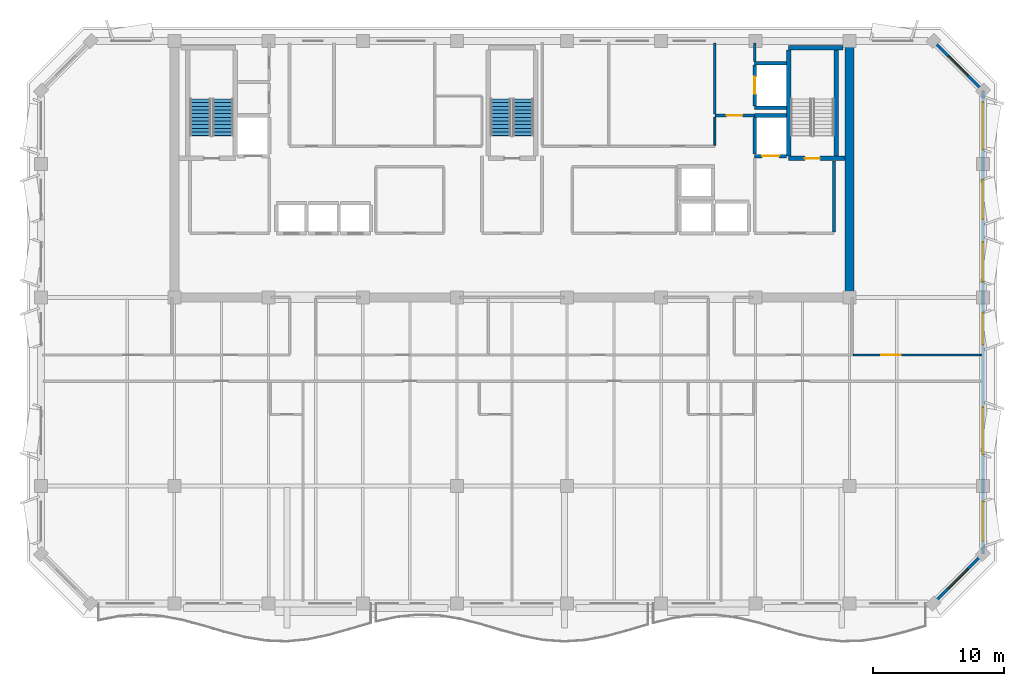
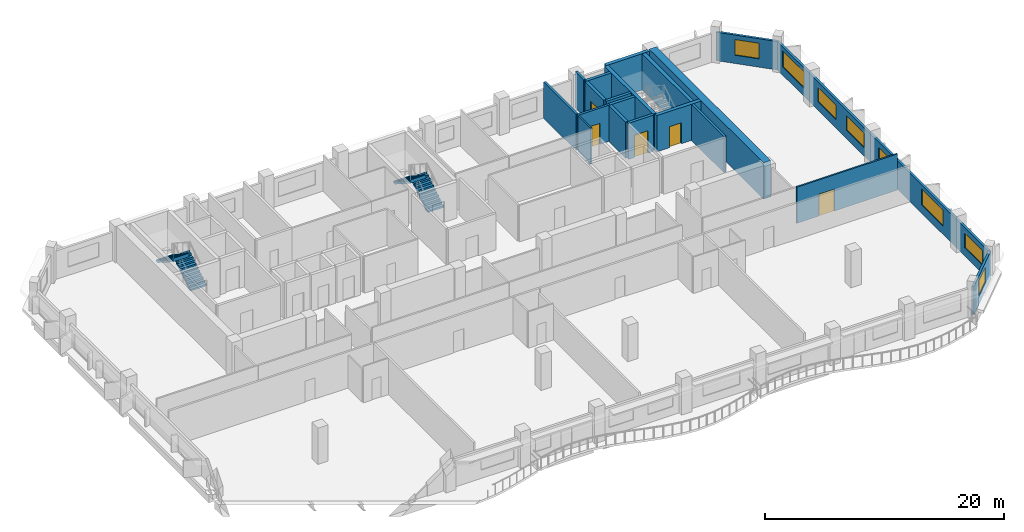
# One storey, part 7 of 11: 20 walls, 8 windows, 5 doors, 4 stair flights, 13 openings, 2 elements without a shape of their own.
"""IFC4 building model written with IfcOpenShell, lengths in metres."""

from ifc_helpers import new_model, si_unit, direction, frame, frame_2d, origin, place, context, subcontext, project, spatial, polyline, rectangle, outline, extrude, material, layer, layer_set, type_object, element, fill, aggregate, save


model = new_model("IFC4")

# Units and contexts
model_context = context("Model", 3, precision=1e-05, world=origin(), true_north=direction((0.0, 1.0)))
body_context = subcontext(model_context, "Body", "Model", "MODEL_VIEW")
ifc_project = project(units=[si_unit("LENGTHUNIT", "METRE"), si_unit("AREAUNIT", "SQUARE_METRE"), si_unit("VOLUMEUNIT", "CUBIC_METRE"), si_unit("PLANEANGLEUNIT", "RADIAN"), si_unit("MASSUNIT", "GRAM", prefix="KILO")], contexts=[model_context])

# Site, building, storey
site_placement = place(None, origin())
site = spatial("IfcSite", under=ifc_project, at=site_placement, CompositionType="ELEMENT")
building_placement = place(site_placement, origin())
building = spatial("IfcBuilding", under=site, at=building_placement, Name="Kaelvorn Grand Hotel", CompositionType="ELEMENT")
storey_placement = place(building_placement, frame((0.0, 0.0, 272.60009765625)))
storey = spatial("IfcBuildingStorey", under=building, at=storey_placement, Name="L67", CompositionType="ELEMENT", Elevation=272.60009765625)

# Wall
ifc_material_1 = material(Name="Concrete C50/60", Category="concrete")
ifc_layer_1 = layer(ifc_material_1, 0.699951171875)
ifc_layer_set_1 = layer_set([ifc_layer_1], Name="Concrete C50/60")
wall_type_1 = type_object("IfcWallType", Name="WL-CORE-700-C50", PredefinedType="SHEAR", material=ifc_layer_set_1)
wall_1_placement = place(storey_placement, frame((67.800048828125, 29.39990234375, 0.0), z_axis=(0.0, 0.0, 1.0), x_axis=(0.0, 1.0, 0.0)))
element("IfcWall", 1, at=wall_1_placement, inside=storey, type_object=wall_type_1, Name="L67 Rear-Core East Shear Wall", PredefinedType="SHEAR", context=body_context, shape_type="SweptSolid", body=[
    extrude(rectangle(XDim=19.2001953125, YDim=0.699951171875, at=frame_2d((9.60009765625, 0.0))), origin(), (0.0, 0.0, 1.0), 3.7099609375),
])

# Wall, opening, window
ifc_material_2 = material(Name="Concrete C40/50", Category="concrete")
ifc_layer_2 = layer(ifc_material_2, 0.219970703125)
ifc_layer_set_2 = layer_set([ifc_layer_2], Name="Concrete C40/50")
wall_type_2 = type_object("IfcWallType", Name="WL-EXT-220-C40", PredefinedType="SOLIDWALL", material=ifc_layer_set_2)
wall_2_placement = place(storey_placement, frame((74.199951171875, 6.0, 0.0), z_axis=(0.0, 0.0, 1.0), x_axis=(0.707106781187, 0.707106781187, 0.0)))
wall_2 = element("IfcWall", 2, at=wall_2_placement, inside=storey, type_object=wall_type_2, Name="L67 Exterior Architectural Concrete Wall 02", PredefinedType="SOLIDWALL", context=body_context, shape_type="SweptSolid", body=[
    extrude(rectangle(XDim=5.3740234375, YDim=0.219970703125, at=frame_2d((2.68701171875, 0.0))), origin(), (0.0, 0.0, 1.0), 2.909912109375),
])
opening_1_placement = place(wall_2_placement, frame((1.636962890625, 0.0, 0.85009765625)))
opening_1 = element("IfcOpeningElement", 3, at=opening_1_placement, cuts=wall_2, Name="Opening W7", PredefinedType="OPENING", context=body_context, shape_type="SweptSolid", body=[
    extrude(rectangle(XDim=2.10009765625, YDim=1.60009765625, at=frame_2d((1.050048828125, 0.800048828125))), frame((0.0, 0.1201171875, 0.0), z_axis=(0.0, -1.0, 0.0), x_axis=(1.0, 0.0, 0.0)), (0.0, 0.0, 1.0), 0.239990234375),
])
ifc_material_3 = material(Name="Laminated Low-E Glass", Category="glass")
window_type_1 = type_object("IfcWindowType", Name="WIN-CHM-2100x1600", PartitioningType="SINGLE_PANEL", PredefinedType="WINDOW", material=ifc_material_3)
window_1_placement = place(opening_1_placement, origin())
window_1 = element("IfcWindow", 4, at=window_1_placement, inside=storey, type_object=window_type_1, Name="L67 Chamfered 45-Degree Corner Window SE", OverallHeight=1.60009765625, OverallWidth=2.10009765625, PartitioningType="SINGLE_PANEL", PredefinedType="WINDOW", context=body_context, shape_type="SweptSolid", body=[
    extrude(rectangle(XDim=2.10009765625, YDim=1.60009765625, at=frame_2d((1.050048828125, 0.800048828125))), frame((0.0, 0.030029296875, 0.0), z_axis=(0.0, -1.0, 0.0), x_axis=(1.0, 0.0, 0.0)), (0.0, 0.0, 1.0), 0.06005859375),
])
fill(opening_1, window_1)

# Wall, openings, windows
wall_3_placement = place(storey_placement, frame((78.0, 9.800048828125, 0.0), z_axis=(0.0, 0.0, 1.0), x_axis=(0.0, 1.0, 0.0)))
wall_3 = element("IfcWall", 5, at=wall_3_placement, inside=storey, type_object=wall_type_2, Name="L67 Exterior Architectural Concrete Wall 03", PredefinedType="SOLIDWALL", context=body_context, shape_type="SweptSolid", body=[
    extrude(rectangle(XDim=35.39990234375, YDim=0.219970703125, at=frame_2d((17.699951171875, 0.0))), origin(), (0.0, 0.0, 1.0), 2.909912109375),
])
opening_2_placement = place(wall_3_placement, frame((0.985107421875, 0.0, 0.85009765625)))
opening_2 = element("IfcOpeningElement", 6, at=opening_2_placement, cuts=wall_3, Name="Opening W5", PredefinedType="OPENING", context=body_context, shape_type="SweptSolid", body=[
    extrude(rectangle(XDim=3.0, YDim=1.5, at=frame_2d((1.5, 0.75))), frame((0.0, 0.1201171875, 0.0), z_axis=(0.0, -1.0, 0.0), x_axis=(1.0, 0.0, 0.0)), (0.0, 0.0, 1.0), 0.239990234375),
])
opening_3_placement = place(wall_3_placement, frame((7.60009765625, 0.0, 0.85009765625)))
opening_3 = element("IfcOpeningElement", 7, at=opening_3_placement, cuts=wall_3, Name="Opening W3", PredefinedType="OPENING", context=body_context, shape_type="SweptSolid", body=[
    extrude(rectangle(XDim=3.60009765625, YDim=1.64990234375, at=frame_2d((1.800048828125, 0.824951171875))), frame((0.0, 0.1201171875, 0.0), z_axis=(0.0, -1.0, 0.0), x_axis=(1.0, 0.0, 0.0)), (0.0, 0.0, 1.0), 0.239990234375),
])
opening_4_placement = place(wall_3_placement, frame((16.0, 0.0, 0.85009765625)))
opening_4 = element("IfcOpeningElement", 8, at=opening_4_placement, cuts=wall_3, Name="Opening W6", PredefinedType="OPENING", context=body_context, shape_type="SweptSolid", body=[
    extrude(rectangle(XDim=2.39990234375, YDim=1.5, at=frame_2d((1.199951171875, 0.75))), frame((0.0, 0.1201171875, 0.0), z_axis=(0.0, -1.0, 0.0), x_axis=(1.0, 0.0, 0.0)), (0.0, 0.0, 1.0), 0.239990234375),
])
opening_5_placement = place(wall_3_placement, frame((20.81494140625, 0.0, 0.85009765625)))
opening_5 = element("IfcOpeningElement", 9, at=opening_5_placement, cuts=wall_3, Name="Opening W5", PredefinedType="OPENING", context=body_context, shape_type="SweptSolid", body=[
    extrude(rectangle(XDim=3.0, YDim=1.5, at=frame_2d((1.5, 0.75))), frame((0.0, 0.1201171875, 0.0), z_axis=(0.0, -1.0, 0.0), x_axis=(1.0, 0.0, 0.0)), (0.0, 0.0, 1.0), 0.239990234375),
])
opening_6_placement = place(wall_3_placement, frame((25.5849609375, 0.0, 0.85009765625)))
opening_6 = element("IfcOpeningElement", 10, at=opening_6_placement, cuts=wall_3, Name="Opening W5", PredefinedType="OPENING", context=body_context, shape_type="SweptSolid", body=[
    extrude(rectangle(XDim=3.0, YDim=1.5, at=frame_2d((1.5, 0.75))), frame((0.0, 0.1201171875, 0.0), z_axis=(0.0, -1.0, 0.0), x_axis=(1.0, 0.0, 0.0)), (0.0, 0.0, 1.0), 0.239990234375),
])
opening_7_placement = place(wall_3_placement, frame((30.9150390625, 0.0, 0.85009765625)))
opening_7 = element("IfcOpeningElement", 11, at=opening_7_placement, cuts=wall_3, Name="Opening W3", PredefinedType="OPENING", context=body_context, shape_type="SweptSolid", body=[
    extrude(rectangle(XDim=3.60009765625, YDim=1.64990234375, at=frame_2d((1.800048828125, 0.824951171875))), frame((0.0, 0.1201171875, 0.0), z_axis=(0.0, -1.0, 0.0), x_axis=(1.0, 0.0, 0.0)), (0.0, 0.0, 1.0), 0.239990234375),
])
window_type_2 = type_object("IfcWindowType", Name="WIN-NTH-2400x1500", PartitioningType="SINGLE_PANEL", PredefinedType="WINDOW", material=ifc_material_3)
window_2_placement = place(opening_4_placement, origin())
window_2 = element("IfcWindow", 12, at=window_2_placement, inside=storey, type_object=window_type_2, Name="L67 E Wing Tilted-Frame Ribbon Window E03", OverallHeight=1.5, OverallWidth=2.39990234375, PartitioningType="SINGLE_PANEL", PredefinedType="WINDOW", context=body_context, shape_type="SweptSolid", body=[
    extrude(rectangle(XDim=2.39990234375, YDim=1.5, at=frame_2d((1.199951171875, 0.75))), frame((0.0, 0.030029296875, 0.0), z_axis=(0.0, -1.0, 0.0), x_axis=(1.0, 0.0, 0.0)), (0.0, 0.0, 1.0), 0.06005859375),
])
fill(opening_4, window_2)
window_type_3 = type_object("IfcWindowType", Name="WIN-NTH-3000x1500", PartitioningType="SINGLE_PANEL", PredefinedType="WINDOW", material=ifc_material_3)
window_3_placement = place(opening_2_placement, origin())
window_3 = element("IfcWindow", 13, at=window_3_placement, inside=storey, type_object=window_type_3, Name="L67 E Wing Tilted-Frame Ribbon Window E01", OverallHeight=1.5, OverallWidth=3.0, PartitioningType="SINGLE_PANEL", PredefinedType="WINDOW", context=body_context, shape_type="SweptSolid", body=[
    extrude(rectangle(XDim=3.0, YDim=1.5, at=frame_2d((1.5, 0.75))), frame((0.0, 0.030029296875, 0.0), z_axis=(0.0, -1.0, 0.0), x_axis=(1.0, 0.0, 0.0)), (0.0, 0.0, 1.0), 0.06005859375),
])
fill(opening_2, window_3)
window_4_placement = place(opening_5_placement, origin())
window_4 = element("IfcWindow", 14, at=window_4_placement, inside=storey, type_object=window_type_3, Name="L67 E Wing Tilted-Frame Ribbon Window E04", OverallHeight=1.5, OverallWidth=3.0, PartitioningType="SINGLE_PANEL", PredefinedType="WINDOW", context=body_context, shape_type="SweptSolid", body=[
    extrude(rectangle(XDim=3.0, YDim=1.5, at=frame_2d((1.5, 0.75))), frame((0.0, 0.030029296875, 0.0), z_axis=(0.0, -1.0, 0.0), x_axis=(1.0, 0.0, 0.0)), (0.0, 0.0, 1.0), 0.06005859375),
])
fill(opening_5, window_4)
window_5_placement = place(opening_6_placement, origin())
window_5 = element("IfcWindow", 15, at=window_5_placement, inside=storey, type_object=window_type_3, Name="L67 E Wing Tilted-Frame Ribbon Window E05", OverallHeight=1.5, OverallWidth=3.0, PartitioningType="SINGLE_PANEL", PredefinedType="WINDOW", context=body_context, shape_type="SweptSolid", body=[
    extrude(rectangle(XDim=3.0, YDim=1.5, at=frame_2d((1.5, 0.75))), frame((0.0, 0.030029296875, 0.0), z_axis=(0.0, -1.0, 0.0), x_axis=(1.0, 0.0, 0.0)), (0.0, 0.0, 1.0), 0.06005859375),
])
fill(opening_6, window_5)
window_type_4 = type_object("IfcWindowType", Name="WIN-RIB-3600x1750", PartitioningType="SINGLE_PANEL", PredefinedType="WINDOW", material=ifc_material_3)
window_6_placement = place(opening_3_placement, origin())
window_6 = element("IfcWindow", 16, at=window_6_placement, inside=storey, type_object=window_type_4, Name="L67 E Wing Tilted-Frame Ribbon Window E02", OverallHeight=1.64990234375, OverallWidth=3.60009765625, PartitioningType="SINGLE_PANEL", PredefinedType="WINDOW", context=body_context, shape_type="SweptSolid", body=[
    extrude(rectangle(XDim=3.60009765625, YDim=1.64990234375, at=frame_2d((1.800048828125, 0.824951171875))), frame((0.0, 0.030029296875, 0.0), z_axis=(0.0, -1.0, 0.0), x_axis=(1.0, 0.0, 0.0)), (0.0, 0.0, 1.0), 0.06005859375),
])
fill(opening_3, window_6)
window_7_placement = place(opening_7_placement, origin())
window_7 = element("IfcWindow", 17, at=window_7_placement, inside=storey, type_object=window_type_4, Name="L67 E Wing Tilted-Frame Ribbon Window E06", OverallHeight=1.64990234375, OverallWidth=3.60009765625, PartitioningType="SINGLE_PANEL", PredefinedType="WINDOW", context=body_context, shape_type="SweptSolid", body=[
    extrude(rectangle(XDim=3.60009765625, YDim=1.64990234375, at=frame_2d((1.800048828125, 0.824951171875))), frame((0.0, 0.030029296875, 0.0), z_axis=(0.0, -1.0, 0.0), x_axis=(1.0, 0.0, 0.0)), (0.0, 0.0, 1.0), 0.06005859375),
])
fill(opening_7, window_7)

# Wall, opening, window
wall_4_placement = place(storey_placement, frame((78.0, 45.199951171875, 0.0), z_axis=(0.0, 0.0, 1.0), x_axis=(-0.707106781187, 0.707106781187, 0.0)))
wall_4 = element("IfcWall", 18, at=wall_4_placement, inside=storey, type_object=wall_type_2, Name="L67 Exterior Architectural Concrete Wall 04", PredefinedType="SOLIDWALL", context=body_context, shape_type="SweptSolid", body=[
    extrude(rectangle(XDim=5.3740234375, YDim=0.219970703125, at=frame_2d((2.68701171875, 0.0))), origin(), (0.0, 0.0, 1.0), 2.909912109375),
])
opening_8_placement = place(wall_4_placement, frame((1.636962890625, 0.0, 0.85009765625)))
opening_8 = element("IfcOpeningElement", 19, at=opening_8_placement, cuts=wall_4, Name="Opening W7", PredefinedType="OPENING", context=body_context, shape_type="SweptSolid", body=[
    extrude(rectangle(XDim=2.10009765625, YDim=1.60009765625, at=frame_2d((1.050048828125, 0.800048828125))), frame((0.0, 0.1201171875, 0.0), z_axis=(0.0, -1.0, 0.0), x_axis=(1.0, 0.0, 0.0)), (0.0, 0.0, 1.0), 0.239990234375),
])
window_8_placement = place(opening_8_placement, origin())
window_8 = element("IfcWindow", 20, at=window_8_placement, inside=storey, type_object=window_type_1, Name="L67 Chamfered 45-Degree Corner Window NE", OverallHeight=1.60009765625, OverallWidth=2.10009765625, PartitioningType="SINGLE_PANEL", PredefinedType="WINDOW", context=body_context, shape_type="SweptSolid", body=[
    extrude(rectangle(XDim=2.10009765625, YDim=1.60009765625, at=frame_2d((1.050048828125, 0.800048828125))), frame((0.0, 0.030029296875, 0.0), z_axis=(0.0, -1.0, 0.0), x_axis=(1.0, 0.0, 0.0)), (0.0, 0.0, 1.0), 0.06005859375),
])
fill(opening_8, window_8)

# Wall
ifc_material_4 = material(Name="Acoustic Gypsum & Stud Partition")
ifc_layer_3 = layer(ifc_material_4, 0.14990234375)
ifc_layer_set_3 = layer_set([ifc_layer_3], Name="Acoustic Gypsum & Stud Partition")
wall_type_3 = type_object("IfcWallType", Name="WL-PART-150-EI60", PredefinedType="PARTITIONING", material=ifc_layer_set_3)
wall_5_placement = place(storey_placement, frame((57.5, 41.030029296875, 0.0), z_axis=(0.0, 0.0, 1.0), x_axis=(0.0, 1.0, 0.0)))
element("IfcWall", 21, at=wall_5_placement, inside=storey, type_object=wall_type_3, Name="L67 Butler Servery Pantry E Partition", PredefinedType="PARTITIONING", context=body_context, shape_type="SweptSolid", body=[
    extrude(rectangle(XDim=2.155029296875, YDim=0.14990234375, at=frame_2d((1.07763671875, 0.0))), origin(), (0.0, 0.0, 1.0), 3.7099609375),
])

# Wall, opening, door
wall_6_placement = place(storey_placement, frame((68.080078125, 25.0, 0.0), z_axis=(0.0, 0.0, 1.0), x_axis=(1.0, 0.0, 0.0)))
wall_6 = element("IfcWall", 22, at=wall_6_placement, inside=storey, type_object=wall_type_3, Name="L67 East Sky Wellness Spa Salon S Partition", PredefinedType="PARTITIONING", context=body_context, shape_type="SweptSolid", body=[
    extrude(rectangle(XDim=9.77001953125, YDim=0.14990234375, at=frame_2d((4.885009765625, 0.0))), origin(), (0.0, 0.0, 1.0), 3.7099609375),
])
opening_9_placement = place(wall_6_placement, frame((2.139892578125, 0.0, 0.0)))
opening_9 = element("IfcOpeningElement", 23, at=opening_9_placement, cuts=wall_6, Name="Opening DI5", PredefinedType="OPENING", context=body_context, shape_type="SweptSolid", body=[
    extrude(rectangle(XDim=1.5, YDim=2.25, at=frame_2d((0.75, 1.125))), frame((0.0, 0.0849609375, 0.0), z_axis=(0.0, -1.0, 0.0), x_axis=(1.0, 0.0, 0.0)), (0.0, 0.0, 1.0), 0.169921875),
])
ifc_material_5 = material(Name="Timber Veneer Fire Leaf", Category="wood")
door_type_1 = type_object("IfcDoorType", Name="DR-INT-SALON-1500x2250", OperationType="DOUBLE_DOOR_SINGLE_SWING", PredefinedType="DOOR", material=ifc_material_5)
door_1_placement = place(opening_9_placement, origin())
door_1 = element("IfcDoor", 24, at=door_1_placement, inside=storey, type_object=door_type_1, Name="L67 East Sky Wellness Spa Salon Door", OperationType="DOUBLE_DOOR_SINGLE_SWING", OverallHeight=2.25, OverallWidth=1.5, PredefinedType="DOOR", context=body_context, shape_type="SweptSolid", body=[
    extrude(rectangle(XDim=1.5, YDim=2.25, at=frame_2d((0.75, 1.125))), frame((0.0, 0.02490234375, 0.0), z_axis=(0.0, -1.0, 0.0), x_axis=(1.0, 0.0, 0.0)), (0.0, 0.0, 1.0), 0.050048828125),
])
fill(opening_9, door_1)

# Wall
ifc_layer_4 = layer(ifc_material_2, 0.219970703125)
ifc_layer_set_4 = layer_set([ifc_layer_4], Name="Concrete C40/50")
wall_type_4 = type_object("IfcWallType", Name="WL-PART-220-EI120", PredefinedType="PARTITIONING", material=ifc_layer_set_4)
wall_7_placement = place(storey_placement, frame((66.60009765625, 34.4150390625, 0.0), z_axis=(0.0, 0.0, 1.0), x_axis=(0.0, 1.0, 0.0)))
element("IfcWall", 25, at=wall_7_placement, inside=storey, type_object=wall_type_4, Name="L67 Firefighting Lift Lobby 2 E Partition", PredefinedType="PARTITIONING", context=body_context, shape_type="SweptSolid", body=[
    extrude(rectangle(XDim=5.429931640625, YDim=0.219970703125, at=frame_2d((2.71484375, 0.0))), origin(), (0.0, 0.0, 1.0), 3.7099609375),
])

# Wall, opening, door
wall_8_placement = place(storey_placement, frame((57.5, 43.300048828125, 0.0), z_axis=(0.0, 0.0, 1.0), x_axis=(1.0, 0.0, 0.0)))
wall_8 = element("IfcWall", 26, at=wall_8_placement, inside=storey, type_object=wall_type_4, Name="L67 Service Lift Lobby S Partition", PredefinedType="PARTITIONING", context=body_context, shape_type="SweptSolid", body=[
    extrude(rectangle(XDim=3.0400390625, YDim=0.219970703125, at=frame_2d((1.52001953125, 0.0))), origin(), (0.0, 0.0, 1.0), 3.7099609375),
])
opening_10_placement = place(wall_8_placement, frame((0.89990234375, 0.0, 0.0)))
opening_10 = element("IfcOpeningElement", 27, at=opening_10_placement, cuts=wall_8, Name="Opening DI2", PredefinedType="OPENING", context=body_context, shape_type="SweptSolid", body=[
    extrude(rectangle(XDim=1.199951171875, YDim=2.14990234375, at=frame_2d((0.60009765625, 1.074951171875))), frame((0.0, 0.1201171875, 0.0), z_axis=(0.0, -1.0, 0.0), x_axis=(1.0, 0.0, 0.0)), (0.0, 0.0, 1.0), 0.239990234375),
])
door_type_2 = type_object("IfcDoorType", Name="DR-INT-FFLOB-1200x2150", OperationType="NOTDEFINED", PredefinedType="DOOR", material=ifc_material_5)
door_2_placement = place(opening_10_placement, origin())
door_2 = element("IfcDoor", 28, at=door_2_placement, inside=storey, type_object=door_type_2, Name="L67 Service Lift Lobby Door", OperationType="SINGLE_SWING_RIGHT", OverallHeight=2.14990234375, OverallWidth=1.199951171875, PredefinedType="DOOR", context=body_context, shape_type="SweptSolid", body=[
    extrude(rectangle(XDim=1.199951171875, YDim=2.14990234375, at=frame_2d((0.60009765625, 1.074951171875))), frame((0.0, 0.02490234375, 0.0), z_axis=(0.0, -1.0, 0.0), x_axis=(1.0, 0.0, 0.0)), (0.0, 0.0, 1.0), 0.050048828125),
])
fill(opening_10, door_2)

# Walls
wall_9_placement = place(storey_placement, frame((57.5, 43.4150390625, 0.0), z_axis=(0.0, 0.0, 1.0), x_axis=(0.0, 1.0, 0.0)))
element("IfcWall", 29, at=wall_9_placement, inside=storey, type_object=wall_type_4, Name="L67 Service Lift Lobby W Partition", PredefinedType="PARTITIONING", context=body_context, shape_type="SweptSolid", body=[
    extrude(rectangle(XDim=5.43505859375, YDim=0.219970703125, at=frame_2d((2.717529296875, 0.0))), origin(), (0.0, 0.0, 1.0), 3.7099609375),
])
wall_10_placement = place(storey_placement, frame((60.550048828125, 47.445068359375, 0.0), z_axis=(0.0, 0.0, 1.0), x_axis=(0.0, 1.0, 0.0)))
element("IfcWall", 30, at=wall_10_placement, inside=storey, type_object=wall_type_4, Name="L67 Service Lift Lobby E Partition", PredefinedType="PARTITIONING", context=body_context, shape_type="SweptSolid", body=[
    extrude(rectangle(XDim=1.405029296875, YDim=0.219970703125, at=frame_2d((0.70263671875, 0.0))), origin(), (0.0, 0.0, 1.0), 3.7099609375),
])

# Wall, opening, door
ifc_layer_5 = layer(ifc_material_1, 0.280029296875)
ifc_layer_set_5 = layer_set([ifc_layer_5], Name="Concrete C50/60")
wall_type_5 = type_object("IfcWallType", Name="WL-SHAFT-280-C50", PredefinedType="SHEAR", material=ifc_layer_set_5)
wall_11_placement = place(storey_placement, frame((60.550048828125, 40.199951171875, 0.0), z_axis=(0.0, 0.0, 1.0), x_axis=(1.0, 0.0, 0.0)))
wall_11 = element("IfcWall", 31, at=wall_11_placement, inside=storey, type_object=wall_type_5, Name="L67 Lift FFL2 Shaft South Wall", PredefinedType="SHEAR", context=body_context, shape_type="SweptSolid", body=[
    extrude(rectangle(XDim=2.4150390625, YDim=0.280029296875, at=frame_2d((1.20751953125, 0.0))), origin(), (0.0, 0.0, 1.0), 3.7099609375),
])
opening_11_placement = place(wall_11_placement, frame((0.574951171875, 0.0, 0.0)))
opening_11 = element("IfcOpeningElement", 32, at=opening_11_placement, cuts=wall_11, Name="Opening LD-FFL2", PredefinedType="OPENING", context=body_context, shape_type="SweptSolid", body=[
    extrude(rectangle(XDim=1.300048828125, YDim=2.300048828125, at=frame_2d((0.64990234375, 1.14990234375))), frame((0.0, 0.14990234375, 0.0), z_axis=(0.0, -1.0, 0.0), x_axis=(1.0, 0.0, 0.0)), (0.0, 0.0, 1.0), 0.300048828125),
])
ifc_material_6 = material(Name="Stainless Steel", Category="steel")
door_type_3 = type_object("IfcDoorType", Name="DR-LIFT-SERV-1300x2300", OperationType="DOUBLE_DOOR_SLIDING", PredefinedType="DOOR", material=ifc_material_6)
door_3_placement = place(opening_11_placement, origin())
door_3 = element("IfcDoor", 33, at=door_3_placement, inside=storey, type_object=door_type_3, Name="L67 Lift FFL2 Sliding Landing Door LD-FFL2", OperationType="DOUBLE_DOOR_SLIDING", OverallHeight=2.300048828125, OverallWidth=1.300048828125, PredefinedType="DOOR", context=body_context, shape_type="SweptSolid", body=[
    extrude(rectangle(XDim=1.300048828125, YDim=2.300048828125, at=frame_2d((0.64990234375, 1.14990234375))), frame((0.0, 0.02490234375, 0.0), z_axis=(0.0, -1.0, 0.0), x_axis=(1.0, 0.0, 0.0)), (0.0, 0.0, 1.0), 0.050048828125),
])
fill(opening_11, door_3)

# Walls
wall_12_placement = place(storey_placement, frame((60.550048828125, 43.300048828125, 0.0), z_axis=(0.0, 0.0, 1.0), x_axis=(1.0, 0.0, 0.0)))
element("IfcWall", 34, at=wall_12_placement, inside=storey, type_object=wall_type_5, Name="L67 Lift FFL2 Shaft North Wall", PredefinedType="SHEAR", context=body_context, shape_type="SweptSolid", body=[
    extrude(rectangle(XDim=2.4150390625, YDim=0.280029296875, at=frame_2d((1.20751953125, 0.0))), origin(), (0.0, 0.0, 1.0), 3.7099609375),
])
wall_13_placement = place(storey_placement, frame((60.550048828125, 40.344970703125, 0.0), z_axis=(0.0, 0.0, 1.0), x_axis=(0.0, 1.0, 0.0)))
element("IfcWall", 35, at=wall_13_placement, inside=storey, type_object=wall_type_5, Name="L67 Lift FFL2 Shaft West Wall", PredefinedType="SHEAR", context=body_context, shape_type="SweptSolid", body=[
    extrude(rectangle(XDim=2.81005859375, YDim=0.280029296875, at=frame_2d((1.405029296875, 0.0))), origin(), (0.0, 0.0, 1.0), 3.7099609375),
])
for number, where, z_axis, x_axis, name in (
    (36, (60.550048828125, 43.89990234375, 0.0), (0.0, 0.0, 1.0), (1.0, 0.0, 0.0), "L67 Lift SV1 Shaft South Wall"),
    (37, (60.550048828125, 47.300048828125, 0.0), (0.0, 0.0, 1.0), (1.0, 0.0, 0.0), "L67 Lift SV1 Shaft North Wall"),
):
    element("IfcWall", number, at=place(storey_placement, frame(where, z_axis=z_axis, x_axis=x_axis)), inside=storey, type_object=wall_type_5, Name=name, PredefinedType="SHEAR", context=body_context, shape_type="SweptSolid", body=[
        extrude(rectangle(XDim=2.4150390625, YDim=0.280029296875, at=frame_2d((1.20751953125, 0.0))), origin(), (0.0, 0.0, 1.0), 3.7099609375),
    ])

# Wall, opening, door
wall_14_placement = place(storey_placement, frame((60.550048828125, 44.044921875, 0.0), z_axis=(0.0, 0.0, 1.0), x_axis=(0.0, 1.0, 0.0)))
wall_14 = element("IfcWall", 38, at=wall_14_placement, inside=storey, type_object=wall_type_5, Name="L67 Lift SV1 Shaft West Wall", PredefinedType="SHEAR", context=body_context, shape_type="SweptSolid", body=[
    extrude(rectangle(XDim=3.110107421875, YDim=0.280029296875, at=frame_2d((1.55517578125, 0.0))), origin(), (0.0, 0.0, 1.0), 3.7099609375),
])
opening_12_placement = place(wall_14_placement, frame((0.905029296875, 0.0, 0.0)))
opening_12 = element("IfcOpeningElement", 39, at=opening_12_placement, cuts=wall_14, Name="Opening LD-SV1", PredefinedType="OPENING", context=body_context, shape_type="SweptSolid", body=[
    extrude(rectangle(XDim=1.300048828125, YDim=2.300048828125, at=frame_2d((0.64990234375, 1.14990234375))), frame((0.0, 0.14990234375, 0.0), z_axis=(0.0, -1.0, 0.0), x_axis=(1.0, 0.0, 0.0)), (0.0, 0.0, 1.0), 0.300048828125),
])
door_4_placement = place(opening_12_placement, origin())
door_4 = element("IfcDoor", 40, at=door_4_placement, inside=storey, type_object=door_type_3, Name="L67 Lift SV1 Sliding Landing Door LD-SV1", OperationType="DOUBLE_DOOR_SLIDING", OverallHeight=2.300048828125, OverallWidth=1.300048828125, PredefinedType="DOOR", context=body_context, shape_type="SweptSolid", body=[
    extrude(rectangle(XDim=1.300048828125, YDim=2.300048828125, at=frame_2d((0.64990234375, 1.14990234375))), frame((0.0, 0.02490234375, 0.0), z_axis=(0.0, -1.0, 0.0), x_axis=(1.0, 0.0, 0.0)), (0.0, 0.0, 1.0), 0.050048828125),
])
fill(opening_12, door_4)

ifc_material_7 = material(Name="Concrete C60/75", Category="concrete")
ifc_layer_6 = layer(ifc_material_7, 0.35009765625)
ifc_layer_set_6 = layer_set([ifc_layer_6], Name="Concrete C60/75")
wall_type_6 = type_object("IfcWallType", Name="WL-SHAFT-350-C60", PredefinedType="SHEAR", material=ifc_layer_set_6)
wall_15_placement = place(storey_placement, frame((63.14501953125, 40.02490234375, 0.0), z_axis=(0.0, 0.0, 1.0), x_axis=(1.0, 0.0, 0.0)))
wall_15 = element("IfcWall", 41, at=wall_15_placement, inside=storey, type_object=wall_type_6, Name="L67 ST3 Stair Shaft South Wall", PredefinedType="SHEAR", context=body_context, shape_type="SweptSolid", body=[
    extrude(rectangle(XDim=4.300048828125, YDim=0.35009765625, at=frame_2d((2.14990234375, 0.0))), origin(), (0.0, 0.0, 1.0), 3.7099609375),
])
opening_13_placement = place(wall_15_placement, frame((1.239990234375, 0.0, 0.0)))
opening_13 = element("IfcOpeningElement", 42, at=opening_13_placement, cuts=wall_15, Name="Opening DI1", PredefinedType="OPENING", context=body_context, shape_type="SweptSolid", body=[
    extrude(rectangle(XDim=1.14990234375, YDim=2.14990234375, at=frame_2d((0.574951171875, 1.074951171875))), frame((0.0, 0.18505859375, 0.0), z_axis=(0.0, -1.0, 0.0), x_axis=(1.0, 0.0, 0.0)), (0.0, 0.0, 1.0), 0.3701171875),
])
door_type_4 = type_object("IfcDoorType", Name="DR-INT-STAIR-1150x2150", OperationType="NOTDEFINED", PredefinedType="DOOR", material=ifc_material_5)
door_5_placement = place(opening_13_placement, origin())
door_5 = element("IfcDoor", 43, at=door_5_placement, inside=storey, type_object=door_type_4, Name="L67 ST3 Exit Stair Fire Door", OperationType="SINGLE_SWING_RIGHT", OverallHeight=2.14990234375, OverallWidth=1.14990234375, PredefinedType="DOOR", context=body_context, shape_type="SweptSolid", body=[
    extrude(rectangle(XDim=1.14990234375, YDim=2.14990234375, at=frame_2d((0.574951171875, 1.074951171875))), frame((0.0, 0.02490234375, 0.0), z_axis=(0.0, -1.0, 0.0), x_axis=(1.0, 0.0, 0.0)), (0.0, 0.0, 1.0), 0.050048828125),
])
fill(opening_13, door_5)

# Walls
wall_16_placement = place(storey_placement, frame((63.14501953125, 48.47509765625, 0.0), z_axis=(0.0, 0.0, 1.0), x_axis=(1.0, 0.0, 0.0)))
element("IfcWall", 44, at=wall_16_placement, inside=storey, type_object=wall_type_6, Name="L67 ST3 Stair Shaft North Wall", PredefinedType="SHEAR", context=body_context, shape_type="SweptSolid", body=[
    extrude(rectangle(XDim=4.14990234375, YDim=0.35009765625, at=frame_2d((2.074951171875, 0.0))), origin(), (0.0, 0.0, 1.0), 3.7099609375),
])
for number, where, z_axis, x_axis, name in (
    (45, (63.14501953125, 40.205078125, 0.0), (0.0, 0.0, 1.0), (0.0, 1.0, 0.0), "L67 ST3 Stair Shaft West Wall"),
    (46, (66.77490234375, 40.205078125, 0.0), (0.0, 0.0, 1.0), (0.0, 1.0, 0.0), "L67 ST3 Stair Shaft East Wall"),
):
    element("IfcWall", number, at=place(storey_placement, frame(where, z_axis=z_axis, x_axis=x_axis)), inside=storey, type_object=wall_type_6, Name=name, PredefinedType="SHEAR", context=body_context, shape_type="SweptSolid", body=[
        extrude(rectangle(XDim=8.08984375, YDim=0.35009765625, at=frame_2d((4.044921875, 0.0))), origin(), (0.0, 0.0, 1.0), 3.7099609375),
    ])

# Stair, stair flights
stair_type = type_object("IfcStairType", Name="STR-DOG-1560-R09", PredefinedType="HALF_TURN_STAIR", material=ifc_material_2)
stair_1_placement = place(storey_placement, origin())
stair_1 = element("IfcStair", 47, at=stair_1_placement, inside=storey, type_object=stair_type, Name="L67 West Core Exit Stair ST1", PredefinedType="HALF_TURN_STAIR")
stair_flight_type = type_object("IfcStairFlightType", Name="FLG-DOG-1560-R09", PredefinedType="STRAIGHT", material=ifc_material_2)
stair_flight_1_placement = place(storey_placement, frame((19.89990234375, 41.760009765625, 0.0), z_axis=(0.0, 0.0, 1.0), x_axis=(0.0, 1.0, 0.0)))
stair_flight_1 = element("IfcStairFlight", 48, at=stair_flight_1_placement, type_object=stair_flight_type, Name="ST1 flight 1", NumberOfRisers=11, NumberOfTreads=10, PredefinedType="STRAIGHT", RiserHeight=0.179545455, TreadLength=0.28, context=body_context, shape_type="SweptSolid", body=[
    extrude(outline(polyline([(-0.0048828125, 0.0), (-0.0048828125, 0.0400390625), (0.0, 0.179443359375), (0.280029296875, 0.179443359375), (0.280029296875, 0.359130859375), (0.56005859375, 0.359130859375), (0.56005859375, 0.53857421875), (0.840087890625, 0.53857421875), (0.840087890625, 0.71826171875), (1.1201171875, 0.71826171875), (1.1201171875, 0.897705078125), (1.39990234375, 0.897705078125), (1.39990234375, 1.077392578125), (1.679931640625, 1.077392578125), (1.679931640625, 1.2568359375), (1.9599609375, 1.2568359375), (1.9599609375, 1.436279296875), (2.239990234375, 1.436279296875), (2.239990234375, 1.615966796875), (2.52001953125, 1.615966796875), (2.52001953125, 1.79541015625), (2.800048828125, 1.79541015625), (2.800048828125, 1.97509765625), (2.804931640625, 1.97509765625), (2.804931640625, 1.617431640625), (0.277587890625, 0.0), (-0.0048828125, 0.0)])), frame((0.0, 0.780029296875, 0.0), z_axis=(0.0, -1.0, 0.0), x_axis=(1.0, 0.0, 0.0)), (0.0, 0.0, 1.0), 1.56005859375),
])
stair_flight_2_placement = place(storey_placement, frame((18.179931640625, 44.56005859375, 1.974853515625), z_axis=(0.0, 0.0, 1.0), x_axis=(0.0, -1.0, 0.0)))
stair_flight_2 = element("IfcStairFlight", 49, at=stair_flight_2_placement, type_object=stair_flight_type, Name="ST1 flight 2", NumberOfRisers=11, NumberOfTreads=10, PredefinedType="STRAIGHT", RiserHeight=0.179545455, TreadLength=0.28, context=body_context, shape_type="SweptSolid", body=[
    extrude(outline(polyline([(-0.0048828125, 0.0), (-0.0048828125, 0.0400390625), (0.0, 0.179443359375), (0.280029296875, 0.179443359375), (0.280029296875, 0.359130859375), (0.56005859375, 0.359130859375), (0.56005859375, 0.53857421875), (0.840087890625, 0.53857421875), (0.840087890625, 0.71826171875), (1.1201171875, 0.71826171875), (1.1201171875, 0.897705078125), (1.39990234375, 0.897705078125), (1.39990234375, 1.077392578125), (1.679931640625, 1.077392578125), (1.679931640625, 1.2568359375), (1.9599609375, 1.2568359375), (1.9599609375, 1.436279296875), (2.239990234375, 1.436279296875), (2.239990234375, 1.615966796875), (2.52001953125, 1.615966796875), (2.52001953125, 1.79541015625), (2.800048828125, 1.79541015625), (2.800048828125, 1.97509765625), (2.804931640625, 1.97509765625), (2.804931640625, 1.617431640625), (0.277587890625, 0.0), (-0.0048828125, 0.0)])), frame((0.0, 0.780029296875, 0.0), z_axis=(0.0, -1.0, 0.0), x_axis=(1.0, 0.0, 0.0)), (0.0, 0.0, 1.0), 1.56005859375),
])
aggregate(stair_1, [stair_flight_1, stair_flight_2])

stair_2_placement = place(storey_placement, origin())
stair_2 = element("IfcStair", 50, at=stair_2_placement, inside=storey, type_object=stair_type, Name="L67 Central Core Exit Stair ST2", PredefinedType="HALF_TURN_STAIR")
stair_flight_3_placement = place(storey_placement, frame((42.860107421875, 41.760009765625, 0.0), z_axis=(0.0, 0.0, 1.0), x_axis=(0.0, 1.0, 0.0)))
stair_flight_3 = element("IfcStairFlight", 51, at=stair_flight_3_placement, type_object=stair_flight_type, Name="ST2 flight 1", NumberOfRisers=11, NumberOfTreads=10, PredefinedType="STRAIGHT", RiserHeight=0.179545455, TreadLength=0.28, context=body_context, shape_type="SweptSolid", body=[
    extrude(outline(polyline([(-0.0048828125, 0.0), (-0.0048828125, 0.0400390625), (0.0, 0.179443359375), (0.280029296875, 0.179443359375), (0.280029296875, 0.359130859375), (0.56005859375, 0.359130859375), (0.56005859375, 0.53857421875), (0.840087890625, 0.53857421875), (0.840087890625, 0.71826171875), (1.1201171875, 0.71826171875), (1.1201171875, 0.897705078125), (1.39990234375, 0.897705078125), (1.39990234375, 1.077392578125), (1.679931640625, 1.077392578125), (1.679931640625, 1.2568359375), (1.9599609375, 1.2568359375), (1.9599609375, 1.436279296875), (2.239990234375, 1.436279296875), (2.239990234375, 1.615966796875), (2.52001953125, 1.615966796875), (2.52001953125, 1.79541015625), (2.800048828125, 1.79541015625), (2.800048828125, 1.97509765625), (2.804931640625, 1.97509765625), (2.804931640625, 1.617431640625), (0.277587890625, 0.0), (-0.0048828125, 0.0)])), frame((0.0, 0.780029296875, 0.0), z_axis=(0.0, -1.0, 0.0), x_axis=(1.0, 0.0, 0.0)), (0.0, 0.0, 1.0), 1.56005859375),
])
stair_flight_4_placement = place(storey_placement, frame((41.139892578125, 44.56005859375, 1.974853515625), z_axis=(0.0, 0.0, 1.0), x_axis=(0.0, -1.0, 0.0)))
stair_flight_4 = element("IfcStairFlight", 52, at=stair_flight_4_placement, type_object=stair_flight_type, Name="ST2 flight 2", NumberOfRisers=11, NumberOfTreads=10, PredefinedType="STRAIGHT", RiserHeight=0.179545455, TreadLength=0.28, context=body_context, shape_type="SweptSolid", body=[
    extrude(outline(polyline([(-0.0048828125, 0.0), (-0.0048828125, 0.0400390625), (0.0, 0.179443359375), (0.280029296875, 0.179443359375), (0.280029296875, 0.359130859375), (0.56005859375, 0.359130859375), (0.56005859375, 0.53857421875), (0.840087890625, 0.53857421875), (0.840087890625, 0.71826171875), (1.1201171875, 0.71826171875), (1.1201171875, 0.897705078125), (1.39990234375, 0.897705078125), (1.39990234375, 1.077392578125), (1.679931640625, 1.077392578125), (1.679931640625, 1.2568359375), (1.9599609375, 1.2568359375), (1.9599609375, 1.436279296875), (2.239990234375, 1.436279296875), (2.239990234375, 1.615966796875), (2.52001953125, 1.615966796875), (2.52001953125, 1.79541015625), (2.800048828125, 1.79541015625), (2.800048828125, 1.97509765625), (2.804931640625, 1.97509765625), (2.804931640625, 1.617431640625), (0.277587890625, 0.0), (-0.0048828125, 0.0)])), frame((0.0, 0.780029296875, 0.0), z_axis=(0.0, -1.0, 0.0), x_axis=(1.0, 0.0, 0.0)), (0.0, 0.0, 1.0), 1.56005859375),
])
aggregate(stair_2, [stair_flight_3, stair_flight_4])

save(model, "model.ifc")
